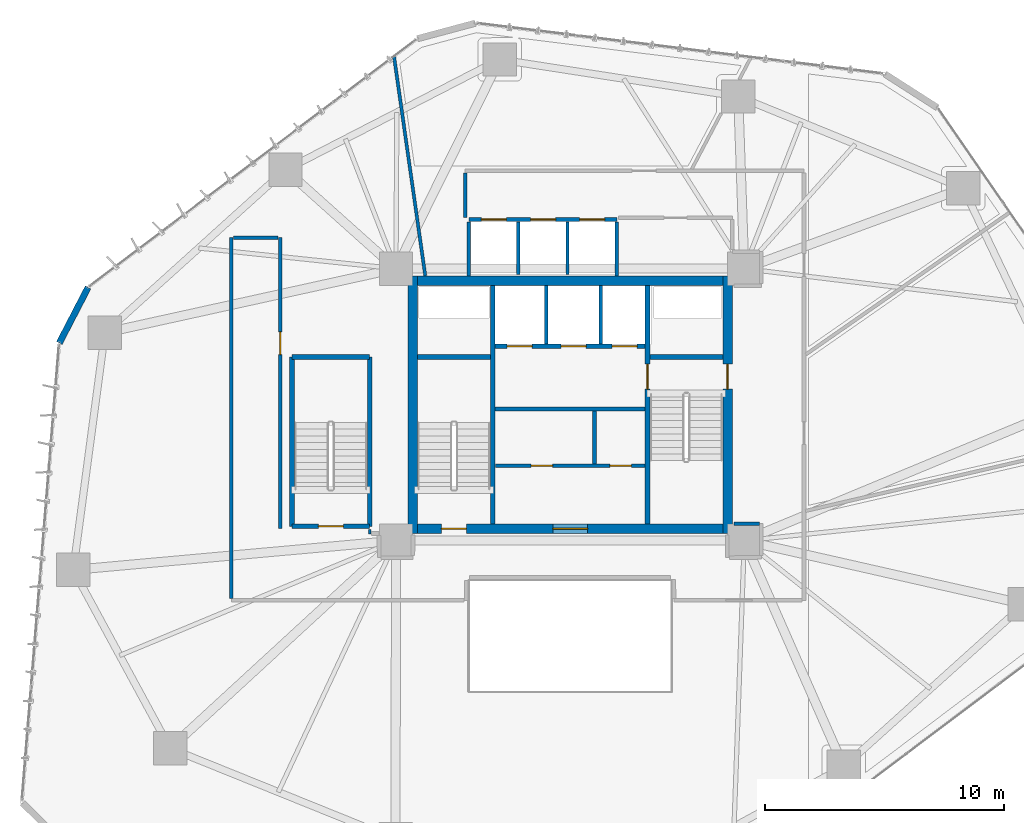
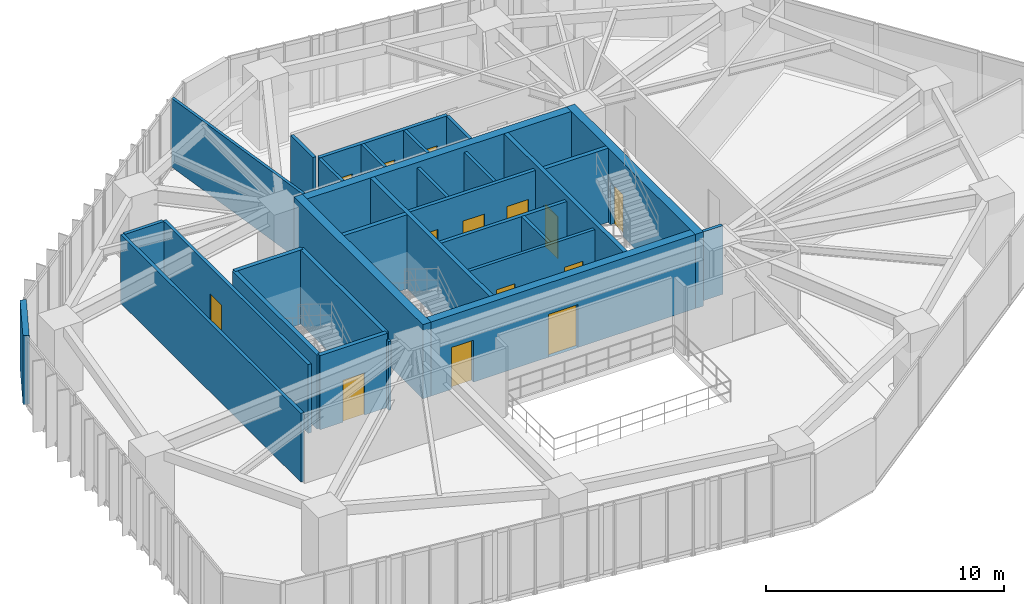
# One storey, part 18 of 23: 31 walls, 14 doors, 14 openings.
"""IFC4 building model written with IfcOpenShell, lengths in metres."""

from ifc_helpers import new_model, si_unit, direction, frame, frame_2d, origin, place, context, subcontext, project, spatial, rectangle, extrude, source, transform, mapped, material, layer, layer_set, type_object, type_shapes, element, fill, save


model = new_model("IFC4")

# Units and contexts
model_context = context("Model", 3, precision=1e-05, world=origin(), true_north=direction((0.0, 1.0)))
body_context = subcontext(model_context, "Body", "Model", "MODEL_VIEW")
ifc_project = project(units=[si_unit("LENGTHUNIT", "METRE"), si_unit("AREAUNIT", "SQUARE_METRE"), si_unit("VOLUMEUNIT", "CUBIC_METRE"), si_unit("PLANEANGLEUNIT", "RADIAN"), si_unit("MASSUNIT", "GRAM", prefix="KILO")], contexts=[model_context])

# Site, building, storey
site_placement = place(None, origin())
site = spatial("IfcSite", under=ifc_project, at=site_placement, CompositionType="ELEMENT")
building_placement = place(site_placement, origin())
building = spatial("IfcBuilding", under=site, at=building_placement, Name="Talar Marvaseh", CompositionType="ELEMENT")
storey_placement = place(building_placement, frame((0.0, 0.0, 69.60009765625)))
storey = spatial("IfcBuildingStorey", under=building, at=storey_placement, Name="L17", CompositionType="ELEMENT", Elevation=69.60009765625)

# Wall
ifc_material_1 = material(Name="Precast concrete C45/55", Category="concrete")
ifc_layer_1 = layer(ifc_material_1, 0.27001953125)
ifc_layer_set_1 = layer_set([ifc_layer_1], Name="Precast concrete C45/55")
wall_type_1 = type_object("IfcWallType", Name="Chamfered Hexagonal Corner Pier Wall Z1 270", PredefinedType="SOLIDWALL", material=ifc_layer_set_1)
wall_1_placement = place(storey_placement, frame((4.58935546875, 33.78515625, 0.0), z_axis=(0.0, 0.0, 1.0), x_axis=(0.459825418176, 0.888009338239, 0.0)))
element("IfcWall", 1, at=wall_1_placement, inside=storey, type_object=wall_type_1, Name="L17 Chamfered Corner Limestone Pier 2", PredefinedType="SOLIDWALL", context=body_context, shape_type="SweptSolid", body=[
    extrude(rectangle(XDim=2.623291015625, YDim=0.27001953125, at=frame_2d((1.3115234375, 0.0))), origin(), (0.0, 0.0, 1.0), 3.52001953125),
])

# Wall, openings, doors
ifc_material_2 = material(Name="Gypsum Board Partition Assembly")
ifc_layer_2 = layer(ifc_material_2, 0.155029296875)
ifc_layer_set_2 = layer_set([ifc_layer_2], Name="Gypsum Board Partition Assembly")
wall_type_2 = type_object("IfcWallType", Name="Corridor Fire-Rated Acoustic Partition 155", PredefinedType="PARTITIONING", material=ifc_layer_set_2)
wall_2_placement = place(storey_placement, frame((22.865966796875, 28.639892578125, 0.0), z_axis=(0.0, 0.0, 1.0), x_axis=(1.0, 0.0, 0.0)))
wall_2 = element("IfcWall", 2, at=wall_2_placement, inside=storey, type_object=wall_type_2, Name="L17 Core BOH Partition", PredefinedType="PARTITIONING", context=body_context, shape_type="SweptSolid", body=[
    extrude(rectangle(XDim=6.26806640625, YDim=0.155029296875, at=frame_2d((3.134033203125, 0.0))), origin(), (0.0, 0.0, 1.0), 3.52001953125),
])
opening_1_placement = place(wall_2_placement, frame((1.5, 0.0, 0.0)))
opening_1 = element("IfcOpeningElement", 3, at=opening_1_placement, cuts=wall_2, Name="Opening DR-BOH090", PredefinedType="OPENING", context=body_context, shape_type="SweptSolid", body=[
    extrude(rectangle(XDim=0.89990234375, YDim=2.10009765625, at=frame_2d((0.449951171875, 1.050048828125))), frame((0.0, 0.08740234375, 0.0), z_axis=(0.0, -1.0, 0.0), x_axis=(1.0, 0.0, 0.0)), (0.0, 0.0, 1.0), 0.175048828125),
])
opening_2_placement = place(wall_2_placement, frame((4.800048828125, 0.0, 0.0)))
opening_2 = element("IfcOpeningElement", 4, at=opening_2_placement, cuts=wall_2, Name="Opening DR-BOH090", PredefinedType="OPENING", context=body_context, shape_type="SweptSolid", body=[
    extrude(rectangle(XDim=0.89990234375, YDim=2.10009765625, at=frame_2d((0.449951171875, 1.050048828125))), frame((0.0, 0.08740234375, 0.0), z_axis=(0.0, -1.0, 0.0), x_axis=(1.0, 0.0, 0.0)), (0.0, 0.0, 1.0), 0.175048828125),
])
ifc_material_3 = material(Name="Fire-Rated Steel Door Leaf", Category="steel")
door_type_1 = type_object("IfcDoorType", Name="Core Back-of-House Service Door 900x2100", OperationType="NOTDEFINED", PredefinedType="DOOR", material=ifc_material_3)
shared_shape_1 = source(origin(), body_context, "Body", "SweptSolid", [
    extrude(rectangle(XDim=0.89990234375, YDim=2.10009765625, at=frame_2d((0.449951171875, 1.050048828125))), frame((0.0, 0.02490234375, 0.0), z_axis=(0.0, -1.0, 0.0), x_axis=(1.0, 0.0, 0.0)), (0.0, 0.0, 1.0), 0.050048828125),
])
type_shapes(door_type_1, [shared_shape_1])
door_1_placement = place(opening_1_placement, origin())
door_1 = element("IfcDoor", 5, at=door_1_placement, inside=storey, type_object=door_type_1, Name="L17 Plant Core Comms Switch Room Door", OperationType="SINGLE_SWING_LEFT", OverallHeight=2.10009765625, OverallWidth=0.89990234375, PredefinedType="DOOR", context=body_context, shape_type="MappedRepresentation", body=[
    mapped(shared_shape_1, transform((0.0, 0.0, 0.0), x_axis=(1.0, 0.0, 0.0), y_axis=(0.0, 1.0, 0.0), z_axis=(0.0, 0.0, 1.0), scale=1.0)),
])
fill(opening_1, door_1)
door_2_placement = place(opening_2_placement, origin())
door_2 = element("IfcDoor", 6, at=door_2_placement, inside=storey, type_object=door_type_1, Name="L17 Cleaner Cupboard Door", OperationType="SINGLE_SWING_RIGHT", OverallHeight=2.10009765625, OverallWidth=0.89990234375, PredefinedType="DOOR", context=body_context, shape_type="MappedRepresentation", body=[
    mapped(shared_shape_1, transform((0.0, 0.0, 0.0), x_axis=(1.0, 0.0, 0.0), y_axis=(0.0, 1.0, 0.0), z_axis=(0.0, 0.0, 1.0), scale=1.0)),
])
fill(opening_2, door_2)

# Wall
wall_3_placement = place(storey_placement, frame((27.02001953125, 28.719970703125, 0.0), z_axis=(0.0, 0.0, 1.0), x_axis=(0.0, 1.0, 0.0)))
element("IfcWall", 7, at=wall_3_placement, inside=storey, type_object=wall_type_2, Name="L17 Core BOH Partition", PredefinedType="PARTITIONING", context=body_context, shape_type="SweptSolid", body=[
    extrude(rectangle(XDim=2.219970703125, YDim=0.155029296875, at=frame_2d((1.10986328125, 0.0))), origin(), (0.0, 0.0, 1.0), 3.52001953125),
])

# Wall, opening, door
wall_4_placement = place(storey_placement, frame((13.85009765625, 38.199951171875, 0.0), z_axis=(0.0, 0.0, 1.0), x_axis=(0.0, -1.0, 0.0)))
wall_4 = element("IfcWall", 8, at=wall_4_placement, inside=storey, type_object=wall_type_2, Name="L17 Interior Partition Wall", PredefinedType="PARTITIONING", context=body_context, shape_type="SweptSolid", body=[
    extrude(rectangle(XDim=12.179931640625, YDim=0.155029296875, at=frame_2d((6.08984375, 0.0))), origin(), (0.0, 0.0, 1.0), 3.52001953125),
])
opening_3_placement = place(wall_4_placement, frame((3.95166015625, 0.0, 0.0)))
opening_3 = element("IfcOpeningElement", 9, at=opening_3_placement, cuts=wall_4, Name="Opening DR-WC095", PredefinedType="OPENING", context=body_context, shape_type="SweptSolid", body=[
    extrude(rectangle(XDim=0.949951171875, YDim=2.14990234375, at=frame_2d((0.47509765625, 1.074951171875))), frame((0.0, 0.08740234375, 0.0), z_axis=(0.0, -1.0, 0.0), x_axis=(1.0, 0.0, 0.0)), (0.0, 0.0, 1.0), 0.175048828125),
])
ifc_material_4 = material(Name="Acoustic Engineered Oak Timber", Category="wood")
door_type_2 = type_object("IfcDoorType", Name="Washroom and Service Room Door 950x2150", OperationType="NOTDEFINED", PredefinedType="DOOR", material=ifc_material_4)
shared_shape_2 = source(origin(), body_context, "Body", "SweptSolid", [
    extrude(rectangle(XDim=0.949951171875, YDim=2.14990234375, at=frame_2d((0.47509765625, 1.074951171875))), frame((0.0, 0.02490234375, 0.0), z_axis=(0.0, -1.0, 0.0), x_axis=(1.0, 0.0, 0.0)), (0.0, 0.0, 1.0), 0.050048828125),
])
type_shapes(door_type_2, [shared_shape_2])
door_3_placement = place(opening_3_placement, origin())
door_3 = element("IfcDoor", 10, at=door_3_placement, inside=storey, type_object=door_type_2, Name="L17 Collection Conservation Store Door", OperationType="SINGLE_SWING_LEFT", OverallHeight=2.14990234375, OverallWidth=0.949951171875, PredefinedType="DOOR", context=body_context, shape_type="MappedRepresentation", body=[
    mapped(shared_shape_2, transform((0.0, 0.0, 0.0), x_axis=(1.0, 0.0, 0.0), y_axis=(0.0, 1.0, 0.0), z_axis=(0.0, 0.0, 1.0), scale=1.0)),
])
fill(opening_3, door_3)

# Walls
wall_5_placement = place(storey_placement, frame((11.800048828125, 23.08349609375, 0.0), z_axis=(0.0, 0.0, 1.0), x_axis=(0.0, 1.0, 0.0)))
element("IfcWall", 11, at=wall_5_placement, inside=storey, type_object=wall_type_2, Name="L17 Interior Partition Wall", PredefinedType="PARTITIONING", context=body_context, shape_type="SweptSolid", body=[
    extrude(rectangle(XDim=15.116455078125, YDim=0.155029296875, at=frame_2d((7.55810546875, 0.0))), origin(), (0.0, 0.0, 1.0), 3.52001953125),
])
wall_6_placement = place(storey_placement, frame((11.883544921875, 38.199951171875, 0.0), z_axis=(0.0, 0.0, 1.0), x_axis=(1.0, 0.0, 0.0)))
element("IfcWall", 12, at=wall_6_placement, inside=storey, type_object=wall_type_2, Name="L17 Interior Partition Wall", PredefinedType="PARTITIONING", context=body_context, shape_type="SweptSolid", body=[
    extrude(rectangle(XDim=1.883056640625, YDim=0.155029296875, at=frame_2d((0.94140625, 0.0))), origin(), (0.0, 0.0, 1.0), 3.52001953125),
])
wall_7_placement = place(storey_placement, frame((33.927978515625, 26.2099609375, 0.0), z_axis=(0.0, 0.0, 1.0), x_axis=(-0.999988255797, 0.004846469737, 0.0)))
element("IfcWall", 13, at=wall_7_placement, inside=storey, type_object=wall_type_2, Name="L17 Interior Partition Wall", PredefinedType="PARTITIONING", context=body_context, shape_type="SweptSolid", body=[
    extrude(rectangle(XDim=1.057861328125, YDim=0.155029296875, at=frame_2d((0.52880859375, 0.0))), origin(), (0.0, 0.0, 1.0), 3.52001953125),
])
wall_8_placement = place(storey_placement, frame((21.60009765625, 39.0400390625, 0.0), z_axis=(0.0, 0.0, 1.0), x_axis=(0.0, 1.0, 0.0)))
element("IfcWall", 14, at=wall_8_placement, inside=storey, type_object=wall_type_2, Name="L17 Interior Partition Wall", PredefinedType="PARTITIONING", context=body_context, shape_type="SweptSolid", body=[
    extrude(rectangle(XDim=1.87646484375, YDim=0.155029296875, at=frame_2d((0.938232421875, 0.0))), origin(), (0.0, 0.0, 1.0), 3.52001953125),
])
ifc_layer_3 = layer(ifc_material_2, 0.1201171875)
ifc_layer_set_3 = layer_set([ifc_layer_3], Name="Gypsum Board Partition Assembly")
wall_type_3 = type_object("IfcWallType", Name="Demountable Studio Room Partition 120", PredefinedType="PARTITIONING", material=ifc_layer_set_3)
wall_9_placement = place(storey_placement, frame((17.60009765625, 25.96240234375, 0.0), z_axis=(0.0, 0.0, 1.0), x_axis=(0.0, -1.0, 0.0)))
element("IfcWall", 15, at=wall_9_placement, inside=storey, type_object=wall_type_3, Name="L17 Interior Partition Wall", PredefinedType="PARTITIONING", context=body_context, shape_type="SweptSolid", body=[
    extrude(rectangle(XDim=0.1748046875, YDim=0.1201171875, at=frame_2d((0.08740234375, 0.0))), origin(), (0.0, 0.0, 1.0), 3.52001953125),
])
ifc_layer_4 = layer(ifc_material_1, 0.14501953125)
ifc_layer_set_4 = layer_set([ifc_layer_4], Name="Precast concrete C45/55")
wall_type_4 = type_object("IfcWallType", Name="Fire-Rated Lift Divider Wall 145", PredefinedType="SOLIDWALL", material=ifc_layer_set_4)
for number, where, z_axis, x_axis, name in (
    (16, (25.0, 33.743408203125, 0.0), (0.0, 0.0, 1.0), (0.0, 1.0, 0.0), "L17 FFL-1/FFL-2 Divider"),
    (17, (27.280029296875, 33.743408203125, 0.0), (0.0, 0.0, 1.0), (0.0, 1.0, 0.0), "L17 FFL-2/SVL-1 Divider"),
):
    element("IfcWall", number, at=place(storey_placement, frame(where, z_axis=z_axis, x_axis=x_axis)), inside=storey, type_object=wall_type_4, Name=name, PredefinedType="SOLIDWALL", context=body_context, shape_type="SweptSolid", body=[
        extrude(rectangle(XDim=2.45654296875, YDim=0.14501953125, at=frame_2d((1.228271484375, 0.0))), origin(), (0.0, 0.0, 1.0), 3.52001953125),
    ])
for number, where, z_axis, x_axis, name in (
    (18, (21.760009765625, 36.60009765625, 0.0), (0.0, 0.0, 1.0), (0.0, 1.0, 0.0), "L17 Low-Rise Bank West Wall"),
    (19, (27.9599609375, 36.60009765625, 0.0), (0.0, 0.0, 1.0), (0.0, 1.0, 0.0), "L17 Low-Rise Bank East Wall"),
):
    element("IfcWall", number, at=place(storey_placement, frame(where, z_axis=z_axis, x_axis=x_axis)), inside=storey, type_object=wall_type_4, Name=name, PredefinedType="SOLIDWALL", context=body_context, shape_type="SweptSolid", body=[
        extrude(rectangle(XDim=2.266357421875, YDim=0.14501953125, at=frame_2d((1.13330078125, 0.0))), origin(), (0.0, 0.0, 1.0), 3.52001953125),
    ])
for number, where, z_axis, x_axis, name in (
    (20, (23.830078125, 36.659912109375, 0.0), (0.0, 0.0, 1.0), (0.0, 1.0, 0.0), "L17 PL-L1/PL-L2 Divider"),
    (21, (25.889892578125, 36.659912109375, 0.0), (0.0, 0.0, 1.0), (0.0, 1.0, 0.0), "L17 PL-L2/PL-L3 Divider"),
):
    element("IfcWall", number, at=place(storey_placement, frame(where, z_axis=z_axis, x_axis=x_axis)), inside=storey, type_object=wall_type_4, Name=name, PredefinedType="SOLIDWALL", context=body_context, shape_type="SweptSolid", body=[
        extrude(rectangle(XDim=2.20654296875, YDim=0.14501953125, at=frame_2d((1.103271484375, 0.0))), origin(), (0.0, 0.0, 1.0), 3.52001953125),
    ])

# Wall, openings, doors
ifc_layer_5 = layer(ifc_material_1, 0.175048828125)
ifc_layer_set_5 = layer_set([ifc_layer_5], Name="Precast concrete C45/55")
wall_type_5 = type_object("IfcWallType", Name="Fire-Rated Lift Hoistway Enclosure Wall 175", PredefinedType="SOLIDWALL", material=ifc_layer_set_5)
wall_10_placement = place(storey_placement, frame((22.860107421875, 33.64990234375, 0.0), z_axis=(0.0, 0.0, 1.0), x_axis=(1.0, 0.0, 0.0)))
wall_10 = element("IfcWall", 22, at=wall_10_placement, inside=storey, type_object=wall_type_5, Name="L17 Firefighting and Service Lift Front Wall", PredefinedType="SOLIDWALL", context=body_context, shape_type="SweptSolid", body=[
    extrude(rectangle(XDim=6.27978515625, YDim=0.175048828125, at=frame_2d((3.139892578125, 0.0))), origin(), (0.0, 0.0, 1.0), 3.52001953125),
])
opening_4_placement = place(wall_10_placement, frame((0.5, 0.0, 0.0)))
opening_4 = element("IfcOpeningElement", 23, at=opening_4_placement, cuts=wall_10, Name="Opening LD-FF1", PredefinedType="OPENING", context=body_context, shape_type="SweptSolid", body=[
    extrude(rectangle(XDim=1.050048828125, YDim=2.14990234375, at=frame_2d((0.52490234375, 1.074951171875))), frame((0.0, 0.09765625, 0.0), z_axis=(0.0, -1.0, 0.0), x_axis=(1.0, 0.0, 0.0)), (0.0, 0.0, 1.0), 0.195068359375),
])
opening_5_placement = place(wall_10_placement, frame((2.760009765625, 0.0, 0.0)))
opening_5 = element("IfcOpeningElement", 24, at=opening_5_placement, cuts=wall_10, Name="Opening LD-FF2", PredefinedType="OPENING", context=body_context, shape_type="SweptSolid", body=[
    extrude(rectangle(XDim=1.050048828125, YDim=2.14990234375, at=frame_2d((0.52490234375, 1.074951171875))), frame((0.0, 0.09765625, 0.0), z_axis=(0.0, -1.0, 0.0), x_axis=(1.0, 0.0, 0.0)), (0.0, 0.0, 1.0), 0.195068359375),
])
opening_6_placement = place(wall_10_placement, frame((4.89990234375, 0.0, 0.0)))
opening_6 = element("IfcOpeningElement", 25, at=opening_6_placement, cuts=wall_10, Name="Opening LD-SV1", PredefinedType="OPENING", context=body_context, shape_type="SweptSolid", body=[
    extrude(rectangle(XDim=1.050048828125, YDim=2.14990234375, at=frame_2d((0.52490234375, 1.074951171875))), frame((0.0, 0.09765625, 0.0), z_axis=(0.0, -1.0, 0.0), x_axis=(1.0, 0.0, 0.0)), (0.0, 0.0, 1.0), 0.195068359375),
])
ifc_material_5 = material(Name="Stainless Steel Grade 316", Category="steel")
door_type_3 = type_object("IfcDoorType", Name="Automatic Sliding Lift Landing Door 1050x2150", OperationType="NOTDEFINED", PredefinedType="DOOR", material=ifc_material_5)
shared_shape_3 = source(origin(), body_context, "Body", "SweptSolid", [
    extrude(rectangle(XDim=1.050048828125, YDim=2.14990234375, at=frame_2d((0.52490234375, 1.074951171875))), frame((0.0, 0.02490234375, 0.0), z_axis=(0.0, -1.0, 0.0), x_axis=(1.0, 0.0, 0.0)), (0.0, 0.0, 1.0), 0.050048828125),
])
type_shapes(door_type_3, [shared_shape_3])
door_4_placement = place(opening_4_placement, origin())
door_4 = element("IfcDoor", 26, at=door_4_placement, inside=storey, type_object=door_type_3, Name="L17 Lift FFL-1 Sliding Landing Door", OperationType="SLIDING_TO_LEFT", OverallHeight=2.14990234375, OverallWidth=1.050048828125, PredefinedType="DOOR", context=body_context, shape_type="MappedRepresentation", body=[
    mapped(shared_shape_3, transform((0.0, 0.0, 0.0), x_axis=(1.0, 0.0, 0.0), y_axis=(0.0, 1.0, 0.0), z_axis=(0.0, 0.0, 1.0), scale=1.0)),
])
fill(opening_4, door_4)
door_5_placement = place(opening_5_placement, origin())
door_5 = element("IfcDoor", 27, at=door_5_placement, inside=storey, type_object=door_type_3, Name="L17 Lift FFL-2 Sliding Landing Door", OperationType="SLIDING_TO_LEFT", OverallHeight=2.14990234375, OverallWidth=1.050048828125, PredefinedType="DOOR", context=body_context, shape_type="MappedRepresentation", body=[
    mapped(shared_shape_3, transform((0.0, 0.0, 0.0), x_axis=(1.0, 0.0, 0.0), y_axis=(0.0, 1.0, 0.0), z_axis=(0.0, 0.0, 1.0), scale=1.0)),
])
fill(opening_5, door_5)
door_6_placement = place(opening_6_placement, origin())
door_6 = element("IfcDoor", 28, at=door_6_placement, inside=storey, type_object=door_type_3, Name="L17 Lift SVL-1 Sliding Landing Door", OperationType="SLIDING_TO_LEFT", OverallHeight=2.14990234375, OverallWidth=1.050048828125, PredefinedType="DOOR", context=body_context, shape_type="MappedRepresentation", body=[
    mapped(shared_shape_3, transform((0.0, 0.0, 0.0), x_axis=(1.0, 0.0, 0.0), y_axis=(0.0, 1.0, 0.0), z_axis=(0.0, 0.0, 1.0), scale=1.0)),
])
fill(opening_6, door_6)

# Wall
wall_11_placement = place(storey_placement, frame((22.860107421875, 31.02001953125, 0.0), z_axis=(0.0, 0.0, 1.0), x_axis=(1.0, 0.0, 0.0)))
element("IfcWall", 29, at=wall_11_placement, inside=storey, type_object=wall_type_5, Name="L17 Firefighting Lobby South Smoke Wall", PredefinedType="SOLIDWALL", context=body_context, shape_type="SweptSolid", body=[
    extrude(rectangle(XDim=6.27978515625, YDim=0.175048828125, at=frame_2d((3.139892578125, 0.0))), origin(), (0.0, 0.0, 1.0), 3.52001953125),
])

# Wall, openings, doors
wall_12_placement = place(storey_placement, frame((21.760009765625, 38.9599609375, 0.0), z_axis=(0.0, 0.0, 1.0), x_axis=(1.0, 0.0, 0.0)))
wall_12 = element("IfcWall", 30, at=wall_12_placement, inside=storey, type_object=wall_type_5, Name="L17 Low-Rise Lift Bank Front Wall", PredefinedType="SOLIDWALL", context=body_context, shape_type="SweptSolid", body=[
    extrude(rectangle(XDim=6.199951171875, YDim=0.175048828125, at=frame_2d((3.10009765625, 0.0))), origin(), (0.0, 0.0, 1.0), 3.52001953125),
])
opening_7_placement = place(wall_12_placement, frame((0.52001953125, 0.0, 0.0)))
opening_7 = element("IfcOpeningElement", 31, at=opening_7_placement, cuts=wall_12, Name="Opening LD-PLL1", PredefinedType="OPENING", context=body_context, shape_type="SweptSolid", body=[
    extrude(rectangle(XDim=1.050048828125, YDim=2.14990234375, at=frame_2d((0.52490234375, 1.074951171875))), frame((0.0, 0.09765625, 0.0), z_axis=(0.0, -1.0, 0.0), x_axis=(1.0, 0.0, 0.0)), (0.0, 0.0, 1.0), 0.195068359375),
])
opening_8_placement = place(wall_12_placement, frame((2.580078125, 0.0, 0.0)))
opening_8 = element("IfcOpeningElement", 32, at=opening_8_placement, cuts=wall_12, Name="Opening LD-PLL2", PredefinedType="OPENING", context=body_context, shape_type="SweptSolid", body=[
    extrude(rectangle(XDim=1.050048828125, YDim=2.14990234375, at=frame_2d((0.52490234375, 1.074951171875))), frame((0.0, 0.09765625, 0.0), z_axis=(0.0, -1.0, 0.0), x_axis=(1.0, 0.0, 0.0)), (0.0, 0.0, 1.0), 0.195068359375),
])
opening_9_placement = place(wall_12_placement, frame((4.639892578125, 0.0, 0.0)))
opening_9 = element("IfcOpeningElement", 33, at=opening_9_placement, cuts=wall_12, Name="Opening LD-PLL3", PredefinedType="OPENING", context=body_context, shape_type="SweptSolid", body=[
    extrude(rectangle(XDim=1.050048828125, YDim=2.14990234375, at=frame_2d((0.52490234375, 1.074951171875))), frame((0.0, 0.09765625, 0.0), z_axis=(0.0, -1.0, 0.0), x_axis=(1.0, 0.0, 0.0)), (0.0, 0.0, 1.0), 0.195068359375),
])
door_7_placement = place(opening_7_placement, origin())
door_7 = element("IfcDoor", 34, at=door_7_placement, inside=storey, type_object=door_type_3, Name="L17 Lift PL-L1 Sliding Landing Door", OperationType="SLIDING_TO_LEFT", OverallHeight=2.14990234375, OverallWidth=1.050048828125, PredefinedType="DOOR", context=body_context, shape_type="MappedRepresentation", body=[
    mapped(shared_shape_3, transform((0.0, 0.0, 0.0), x_axis=(1.0, 0.0, 0.0), y_axis=(0.0, 1.0, 0.0), z_axis=(0.0, 0.0, 1.0), scale=1.0)),
])
fill(opening_7, door_7)
door_8_placement = place(opening_8_placement, origin())
door_8 = element("IfcDoor", 35, at=door_8_placement, inside=storey, type_object=door_type_3, Name="L17 Lift PL-L2 Sliding Landing Door", OperationType="SLIDING_TO_LEFT", OverallHeight=2.14990234375, OverallWidth=1.050048828125, PredefinedType="DOOR", context=body_context, shape_type="MappedRepresentation", body=[
    mapped(shared_shape_3, transform((0.0, 0.0, 0.0), x_axis=(1.0, 0.0, 0.0), y_axis=(0.0, 1.0, 0.0), z_axis=(0.0, 0.0, 1.0), scale=1.0)),
])
fill(opening_8, door_8)
door_9_placement = place(opening_9_placement, origin())
door_9 = element("IfcDoor", 36, at=door_9_placement, inside=storey, type_object=door_type_3, Name="L17 Lift PL-L3 Sliding Landing Door", OperationType="SLIDING_TO_LEFT", OverallHeight=2.14990234375, OverallWidth=1.050048828125, PredefinedType="DOOR", context=body_context, shape_type="MappedRepresentation", body=[
    mapped(shared_shape_3, transform((0.0, 0.0, 0.0), x_axis=(1.0, 0.0, 0.0), y_axis=(0.0, 1.0, 0.0), z_axis=(0.0, 0.0, 1.0), scale=1.0)),
])
fill(opening_9, door_9)

# Walls
ifc_layer_6 = layer(ifc_material_2, 0.135009765625)
ifc_layer_set_6 = layer_set([ifc_layer_6], Name="Gypsum Board Partition Assembly")
wall_type_6 = type_object("IfcWallType", Name="Gallery High-Acoustic Partition 135", PredefinedType="PARTITIONING", material=ifc_layer_set_6)
wall_13_placement = place(storey_placement, frame((19.929931640625, 36.60009765625, 0.0), z_axis=(0.0, 0.0, 1.0), x_axis=(-0.141100772919, 0.989995238313, 0.0)))
element("IfcWall", 37, at=wall_13_placement, inside=storey, type_object=wall_type_6, Name="L17 Interior Partition Wall", PredefinedType="PARTITIONING", context=body_context, shape_type="SweptSolid", body=[
    extrude(rectangle(XDim=9.27587890625, YDim=0.135009765625, at=frame_2d((4.637939453125, 0.0))), origin(), (0.0, 0.0, 1.0), 3.52001953125),
])
ifc_material_6 = material(Name="Concrete C70/85", Category="concrete")
ifc_layer_7 = layer(ifc_material_6, 0.39990234375)
ifc_layer_set_7 = layer_set([ifc_layer_7], Name="Concrete C70/85")
wall_type_7 = type_object("IfcWallType", Name="Lower Core Reinforced Concrete Shear Wall 400", PredefinedType="SHEAR", material=ifc_layer_set_7)
wall_14_placement = place(storey_placement, frame((19.39990234375, 25.800048828125, 0.0), z_axis=(0.0, 0.0, 1.0), x_axis=(0.0, 1.0, 0.0)))
element("IfcWall", 38, at=wall_14_placement, inside=storey, type_object=wall_type_7, Name="L17 West Core Shear Wall", PredefinedType="SHEAR", context=body_context, shape_type="SweptSolid", body=[
    extrude(rectangle(XDim=10.800048828125, YDim=0.39990234375, at=frame_2d((5.39990234375, 0.0))), origin(), (0.0, 0.0, 1.0), 3.7998046875),
])

# Wall, opening, door
wall_15_placement = place(storey_placement, frame((32.60009765625, 36.60009765625, 0.0), z_axis=(0.0, 0.0, 1.0), x_axis=(0.0, -1.0, 0.0)))
wall_15 = element("IfcWall", 39, at=wall_15_placement, inside=storey, type_object=wall_type_7, Name="L17 East Core Shear Wall", PredefinedType="SHEAR", context=body_context, shape_type="SweptSolid", body=[
    extrude(rectangle(XDim=10.800048828125, YDim=0.39990234375, at=frame_2d((5.39990234375, 0.0))), origin(), (0.0, 0.0, 1.0), 3.7998046875),
])
opening_10_placement = place(wall_15_placement, frame((3.699951171875, 0.0, 0.0)))
opening_10 = element("IfcOpeningElement", 40, at=opening_10_placement, cuts=wall_15, Name="Opening DR-ST105", PredefinedType="OPENING", context=body_context, shape_type="SweptSolid", body=[
    extrude(rectangle(XDim=1.050048828125, YDim=2.14990234375, at=frame_2d((0.52490234375, 1.074951171875))), frame((0.0, 0.2099609375, 0.0), z_axis=(0.0, -1.0, 0.0), x_axis=(1.0, 0.0, 0.0)), (0.0, 0.0, 1.0), 0.419921875),
])
door_type_4 = type_object("IfcDoorType", Name="Protected Exit Stair Fire Door 1050x2150", OperationType="NOTDEFINED", PredefinedType="DOOR", material=ifc_material_3)
shared_shape_4 = source(origin(), body_context, "Body", "SweptSolid", [
    extrude(rectangle(XDim=1.050048828125, YDim=2.14990234375, at=frame_2d((0.52490234375, 1.074951171875))), frame((0.0, 0.02490234375, 0.0), z_axis=(0.0, -1.0, 0.0), x_axis=(1.0, 0.0, 0.0)), (0.0, 0.0, 1.0), 0.050048828125),
])
type_shapes(door_type_4, [shared_shape_4])
door_10_placement = place(opening_10_placement, origin())
door_10 = element("IfcDoor", 41, at=door_10_placement, inside=storey, type_object=door_type_4, Name="L17 Stair ST-2 Corridor Exit Door", OperationType="SINGLE_SWING_LEFT", OverallHeight=2.14990234375, OverallWidth=1.050048828125, PredefinedType="DOOR", context=body_context, shape_type="MappedRepresentation", body=[
    mapped(shared_shape_4, transform((0.0, 0.0, 0.0), x_axis=(1.0, 0.0, 0.0), y_axis=(0.0, 1.0, 0.0), z_axis=(0.0, 0.0, 1.0), scale=1.0)),
])
fill(opening_10, door_10)

# Wall
wall_16_placement = place(storey_placement, frame((19.60009765625, 36.39990234375, 0.0), z_axis=(0.0, 0.0, 1.0), x_axis=(1.0, 0.0, 0.0)))
element("IfcWall", 42, at=wall_16_placement, inside=storey, type_object=wall_type_7, Name="L17 North Core Shear Wall", PredefinedType="SHEAR", context=body_context, shape_type="SweptSolid", body=[
    extrude(rectangle(XDim=12.7998046875, YDim=0.39990234375, at=frame_2d((6.39990234375, 0.0))), origin(), (0.0, 0.0, 1.0), 3.7998046875),
])

# Wall, openings, doors
wall_17_placement = place(storey_placement, frame((32.39990234375, 26.0, 0.0), z_axis=(0.0, 0.0, 1.0), x_axis=(-1.0, 0.0, 0.0)))
wall_17 = element("IfcWall", 43, at=wall_17_placement, inside=storey, type_object=wall_type_7, Name="L17 South Core Shear Wall", PredefinedType="SHEAR", context=body_context, shape_type="SweptSolid", body=[
    extrude(rectangle(XDim=12.7998046875, YDim=0.39990234375, at=frame_2d((6.39990234375, 0.0))), origin(), (0.0, 0.0, 1.0), 3.7998046875),
])
opening_11_placement = place(wall_17_placement, frame((10.75, 0.0, 0.0)))
opening_11 = element("IfcOpeningElement", 44, at=opening_11_placement, cuts=wall_17, Name="Opening DR-ST105", PredefinedType="OPENING", context=body_context, shape_type="SweptSolid", body=[
    extrude(rectangle(XDim=1.050048828125, YDim=2.14990234375, at=frame_2d((0.52490234375, 1.074951171875))), frame((0.0, 0.2099609375, 0.0), z_axis=(0.0, -1.0, 0.0), x_axis=(1.0, 0.0, 0.0)), (0.0, 0.0, 1.0), 0.419921875),
])
opening_12_placement = place(wall_17_placement, frame((5.669921875, 0.0, 0.0)))
opening_12 = element("IfcOpeningElement", 45, at=opening_12_placement, cuts=wall_17, Name="Opening DR-LBY145", PredefinedType="OPENING", context=body_context, shape_type="SweptSolid", body=[
    extrude(rectangle(XDim=1.449951171875, YDim=2.199951171875, at=frame_2d((0.72509765625, 1.10009765625))), frame((0.0, 0.2099609375, 0.0), z_axis=(0.0, -1.0, 0.0), x_axis=(1.0, 0.0, 0.0)), (0.0, 0.0, 1.0), 0.419921875),
])
door_11_placement = place(opening_11_placement, origin())
door_11 = element("IfcDoor", 46, at=door_11_placement, inside=storey, type_object=door_type_4, Name="L17 Stair ST-1 Exit Door", OperationType="SINGLE_SWING_RIGHT", OverallHeight=2.14990234375, OverallWidth=1.050048828125, PredefinedType="DOOR", context=body_context, shape_type="MappedRepresentation", body=[
    mapped(shared_shape_4, transform((0.0, 0.0, 0.0), x_axis=(1.0, 0.0, 0.0), y_axis=(0.0, 1.0, 0.0), z_axis=(0.0, 0.0, 1.0), scale=1.0)),
])
fill(opening_11, door_11)
door_type_5 = type_object("IfcDoorType", Name="Core Lift Lobby Double Smoke Door 1450x2200", OperationType="NOTDEFINED", PredefinedType="DOOR", material=ifc_material_3)
shared_shape_5 = source(origin(), body_context, "Body", "SweptSolid", [
    extrude(rectangle(XDim=1.449951171875, YDim=2.199951171875, at=frame_2d((0.72509765625, 1.10009765625))), frame((0.0, 0.02490234375, 0.0), z_axis=(0.0, -1.0, 0.0), x_axis=(1.0, 0.0, 0.0)), (0.0, 0.0, 1.0), 0.050048828125),
])
type_shapes(door_type_5, [shared_shape_5])
door_12_placement = place(opening_12_placement, origin())
door_12 = element("IfcDoor", 47, at=door_12_placement, inside=storey, type_object=door_type_5, Name="L17 Passenger Lift Lobby Entrance Door", OperationType="DOUBLE_DOOR_SINGLE_SWING", OverallHeight=2.199951171875, OverallWidth=1.449951171875, PredefinedType="DOOR", context=body_context, shape_type="MappedRepresentation", body=[
    mapped(shared_shape_5, transform((0.0, 0.0, 0.0), x_axis=(1.0, 0.0, 0.0), y_axis=(0.0, 1.0, 0.0), z_axis=(0.0, 0.0, 1.0), scale=1.0)),
])
fill(opening_12, door_12)

# Wall
ifc_material_7 = material(Name="Concrete C50/60", Category="concrete")
ifc_layer_8 = layer(ifc_material_7, 0.199951171875)
ifc_layer_set_8 = layer_set([ifc_layer_8], Name="Concrete C50/60")
wall_type_8 = type_object("IfcWallType", Name="Stair Shaft Structural Concrete Shear Wall 200", PredefinedType="SHEAR", material=ifc_layer_set_8)
wall_18_placement = place(storey_placement, frame((22.760009765625, 26.199951171875, 0.0), z_axis=(0.0, 0.0, 1.0), x_axis=(0.0, 1.0, 0.0)))
element("IfcWall", 48, at=wall_18_placement, inside=storey, type_object=wall_type_8, Name="L17 Core West Stair Shear Wall", PredefinedType="SHEAR", context=body_context, shape_type="SweptSolid", body=[
    extrude(rectangle(XDim=10.0, YDim=0.199951171875, at=frame_2d((5.0, 0.0))), origin(), (0.0, 0.0, 1.0), 3.7998046875),
])

# Wall, opening, door
wall_19_placement = place(storey_placement, frame((29.239990234375, 26.199951171875, 0.0), z_axis=(0.0, 0.0, 1.0), x_axis=(0.0, 1.0, 0.0)))
wall_19 = element("IfcWall", 49, at=wall_19_placement, inside=storey, type_object=wall_type_8, Name="L17 Core East Stair Shear Wall", PredefinedType="SHEAR", context=body_context, shape_type="SweptSolid", body=[
    extrude(rectangle(XDim=10.0, YDim=0.199951171875, at=frame_2d((5.0, 0.0))), origin(), (0.0, 0.0, 1.0), 3.7998046875),
])
opening_13_placement = place(wall_19_placement, frame((5.64990234375, 0.0, 0.0)))
opening_13 = element("IfcOpeningElement", 50, at=opening_13_placement, cuts=wall_19, Name="Opening DR-ST105", PredefinedType="OPENING", context=body_context, shape_type="SweptSolid", body=[
    extrude(rectangle(XDim=1.050048828125, YDim=2.14990234375, at=frame_2d((0.52490234375, 1.074951171875))), frame((0.0, 0.10986328125, 0.0), z_axis=(0.0, -1.0, 0.0), x_axis=(1.0, 0.0, 0.0)), (0.0, 0.0, 1.0), 0.219970703125),
])
door_13_placement = place(opening_13_placement, origin())
door_13 = element("IfcDoor", 51, at=door_13_placement, inside=storey, type_object=door_type_4, Name="L17 Firefighting Lobby to Stair ST-2 Door", OperationType="SINGLE_SWING_LEFT", OverallHeight=2.14990234375, OverallWidth=1.050048828125, PredefinedType="DOOR", context=body_context, shape_type="MappedRepresentation", body=[
    mapped(shared_shape_4, transform((0.0, 0.0, 0.0), x_axis=(1.0, 0.0, 0.0), y_axis=(0.0, 1.0, 0.0), z_axis=(0.0, 0.0, 1.0), scale=1.0)),
])
fill(opening_13, door_13)

# Walls
for number, where, z_axis, x_axis, name in (
    (52, (19.60009765625, 33.199951171875, 0.0), (0.0, 0.0, 1.0), (1.0, 0.0, 0.0), "L17 Stair ST-1 North Shear Wall"),
    (53, (29.340087890625, 33.199951171875, 0.0), (0.0, 0.0, 1.0), (1.0, 0.0, 0.0), "L17 Stair ST-2 North Shear Wall"),
):
    element("IfcWall", number, at=place(storey_placement, frame(where, z_axis=z_axis, x_axis=x_axis)), inside=storey, type_object=wall_type_8, Name=name, PredefinedType="SHEAR", context=body_context, shape_type="SweptSolid", body=[
        extrude(rectangle(XDim=3.059814453125, YDim=0.199951171875, at=frame_2d((1.52978515625, 0.0))), origin(), (0.0, 0.0, 1.0), 3.7998046875),
    ])

# Wall, opening, door
wall_20_placement = place(storey_placement, frame((17.60009765625, 26.10009765625, 0.0), z_axis=(0.0, 0.0, 1.0), x_axis=(-1.0, 0.0, 0.0)))
wall_20 = element("IfcWall", 54, at=wall_20_placement, inside=storey, type_object=wall_type_8, Name="L17 Stair ST-3 South Shear Wall", PredefinedType="SHEAR", context=body_context, shape_type="SweptSolid", body=[
    extrude(rectangle(XDim=3.260009765625, YDim=0.199951171875, at=frame_2d((1.6298828125, 0.0))), origin(), (0.0, 0.0, 1.0), 3.7998046875),
])
opening_14_placement = place(wall_20_placement, frame((1.10009765625, 0.0, 0.0)))
opening_14 = element("IfcOpeningElement", 55, at=opening_14_placement, cuts=wall_20, Name="Opening DR-ST105", PredefinedType="OPENING", context=body_context, shape_type="SweptSolid", body=[
    extrude(rectangle(XDim=1.050048828125, YDim=2.14990234375, at=frame_2d((0.52490234375, 1.074951171875))), frame((0.0, 0.10986328125, 0.0), z_axis=(0.0, -1.0, 0.0), x_axis=(1.0, 0.0, 0.0)), (0.0, 0.0, 1.0), 0.219970703125),
])
door_14_placement = place(opening_14_placement, origin())
door_14 = element("IfcDoor", 56, at=door_14_placement, inside=storey, type_object=door_type_4, Name="L17 Stair ST-3 Exit Door", OperationType="SINGLE_SWING_LEFT", OverallHeight=2.14990234375, OverallWidth=1.050048828125, PredefinedType="DOOR", context=body_context, shape_type="MappedRepresentation", body=[
    mapped(shared_shape_4, transform((0.0, 0.0, 0.0), x_axis=(1.0, 0.0, 0.0), y_axis=(0.0, 1.0, 0.0), z_axis=(0.0, 0.0, 1.0), scale=1.0)),
])
fill(opening_14, door_14)

# Walls
wall_21_placement = place(storey_placement, frame((14.340087890625, 33.199951171875, 0.0), z_axis=(0.0, 0.0, 1.0), x_axis=(1.0, 0.0, 0.0)))
element("IfcWall", 57, at=wall_21_placement, inside=storey, type_object=wall_type_8, Name="L17 Stair ST-3 North Shear Wall", PredefinedType="SHEAR", context=body_context, shape_type="SweptSolid", body=[
    extrude(rectangle(XDim=3.260009765625, YDim=0.199951171875, at=frame_2d((1.6298828125, 0.0))), origin(), (0.0, 0.0, 1.0), 3.7998046875),
])
for number, where, z_axis, x_axis, name in (
    (58, (14.340087890625, 26.10009765625, 0.0), (0.0, 0.0, 1.0), (0.0, 1.0, 0.0), "L17 Stair ST-3 West Shear Wall"),
    (59, (17.60009765625, 26.10009765625, 0.0), (0.0, 0.0, 1.0), (0.0, 1.0, 0.0), "L17 Stair ST-3 East Shear Wall"),
):
    element("IfcWall", number, at=place(storey_placement, frame(where, z_axis=z_axis, x_axis=x_axis)), inside=storey, type_object=wall_type_8, Name=name, PredefinedType="SHEAR", context=body_context, shape_type="SweptSolid", body=[
        extrude(rectangle(XDim=7.099853515625, YDim=0.199951171875, at=frame_2d((3.5498046875, 0.0))), origin(), (0.0, 0.0, 1.0), 3.7998046875),
    ])

save(model, "model.ifc")
